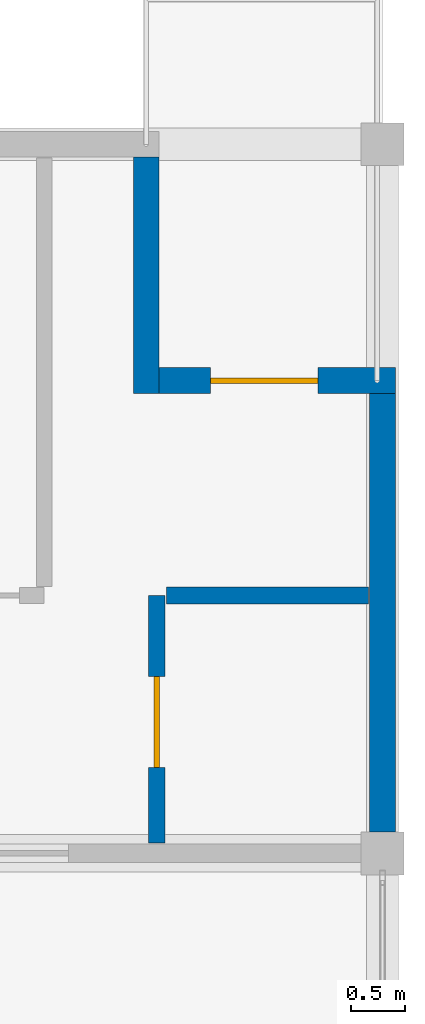
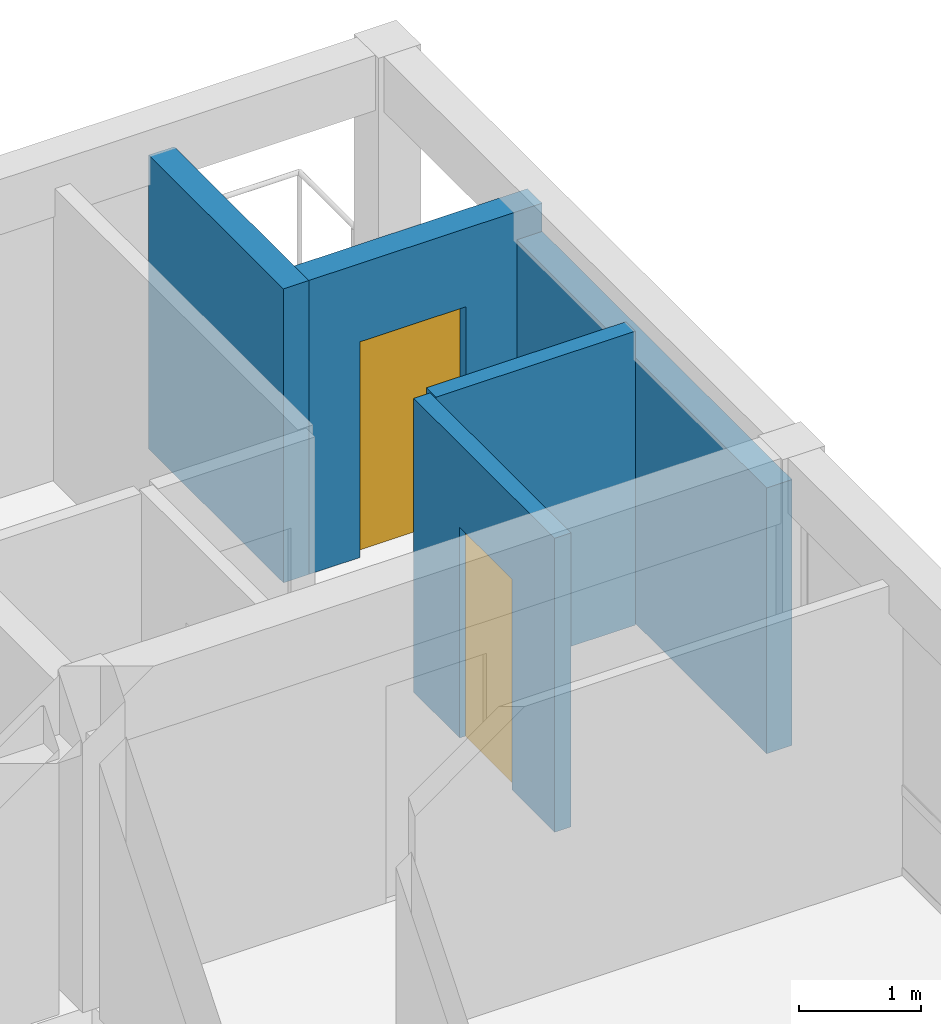
# One storey, part 19 of 23: 5 walls, 2 doors, 2 openings.
"""IFC4 building model written with IfcOpenShell, lengths in metres."""

from ifc_helpers import new_model, si_unit, direction, frame, frame_2d, origin, place, context, subcontext, project, spatial, rectangle, extrude, material, layer, layer_set, type_object, element, fill, save


model = new_model("IFC4")

# Units and contexts
model_context = context("Model", 3, precision=1e-05, world=origin(), true_north=direction((0.0, 1.0)))
body_context = subcontext(model_context, "Body", "Model", "MODEL_VIEW")
ifc_project = project(units=[si_unit("LENGTHUNIT", "METRE"), si_unit("AREAUNIT", "SQUARE_METRE"), si_unit("VOLUMEUNIT", "CUBIC_METRE"), si_unit("PLANEANGLEUNIT", "RADIAN"), si_unit("MASSUNIT", "GRAM", prefix="KILO")], contexts=[model_context])

# Site, building, storey
site_placement = place(None, origin())
site = spatial("IfcSite", under=ifc_project, at=site_placement, CompositionType="ELEMENT")
building_placement = place(site_placement, origin())
building = spatial("IfcBuilding", under=site, at=building_placement, Name="Kernevlak Ridge Housing Community", CompositionType="ELEMENT")
storey_placement = place(building_placement, frame((0.0, 0.0, 46.800048828125)))
storey = spatial("IfcBuildingStorey", under=building, at=storey_placement, Name="L14", CompositionType="ELEMENT", Elevation=46.800048828125)

# Wall
ifc_material_1 = material(Name="Concrete block masonry M10", Category="masonry")
ifc_layer_1 = layer(ifc_material_1, 0.239990234375, Name="Concrete block masonry M10")
ifc_layer_set_1 = layer_set([ifc_layer_1], Name="Concrete block masonry M10")
wall_type_1 = type_object("IfcWallType", Name="EW-06", PredefinedType="STANDARD", material=ifc_layer_set_1)
wall_1_placement = place(storey_placement, frame((143.60009765625, 102.280029296875, 0.0), z_axis=(0.0, 0.0, 1.0), x_axis=(0.0, -1.0, 0.0)))
element("IfcWall", 1, at=wall_1_placement, inside=storey, type_object=wall_type_1, Name="Exterior wall EW-06 L14 522", PredefinedType="STANDARD", context=body_context, shape_type="SweptSolid", body=[
    extrude(rectangle(XDim=2.199951171875, YDim=0.239990234375, at=frame_2d((1.10009765625, 0.0))), origin(), (0.0, 0.0, 1.0), 2.929931640625),
])

# Wall, opening, door
wall_2_placement = place(storey_placement, frame((143.719970703125, 100.199951171875, 0.0), z_axis=(0.0, 0.0, 1.0), x_axis=(1.0, 0.0, 0.0)))
wall_2 = element("IfcWall", 2, at=wall_2_placement, inside=storey, type_object=wall_type_1, Name="Exterior wall EW-06 L14 523", PredefinedType="STANDARD", context=body_context, shape_type="SweptSolid", body=[
    extrude(rectangle(XDim=2.199951171875, YDim=0.239990234375, at=frame_2d((1.10009765625, 0.0))), origin(), (0.0, 0.0, 1.0), 2.929931640625),
])
opening_1_placement = place(wall_2_placement, frame((0.47998046875, 0.0, 0.0)))
opening_1 = element("IfcOpeningElement", 3, at=opening_1_placement, cuts=wall_2, Name="Opening E058", PredefinedType="OPENING", context=body_context, shape_type="SweptSolid", body=[
    extrude(rectangle(XDim=1.0, YDim=2.14990234375, at=frame_2d((0.5, 1.074951171875))), frame((0.0, 0.1298828125, 0.0), z_axis=(0.0, -1.0, 0.0), x_axis=(1.0, 0.0, 0.0)), (0.0, 0.0, 1.0), 0.260009765625),
])
ifc_material_2 = material(Name="Aluminium EN AW-6060 and laminated safety glass", Category="aluminium")
door_type_1 = type_object("IfcDoorType", Name="DT-08", OperationType="NOTDEFINED", PredefinedType="DOOR", material=ifc_material_2)
door_1_placement = place(opening_1_placement, origin())
door_1 = element("IfcDoor", 4, at=door_1_placement, inside=storey, type_object=door_type_1, Name="Flat B1423 corner balcony glazed door E058", OperationType="SINGLE_SWING_LEFT", OverallHeight=2.14990234375, OverallWidth=1.0, PredefinedType="DOOR", context=body_context, shape_type="SweptSolid", body=[
    extrude(rectangle(XDim=1.0, YDim=2.14990234375, at=frame_2d((0.5, 1.074951171875))), frame((0.0, 0.02490234375, 0.0), z_axis=(0.0, -1.0, 0.0), x_axis=(1.0, 0.0, 0.0)), (0.0, 0.0, 1.0), 0.050048828125),
])
fill(opening_1, door_1)

# Wall
wall_3_placement = place(storey_placement, frame((145.800048828125, 96.0, 0.0), z_axis=(0.0, 0.0, 1.0), x_axis=(0.0, 1.0, 0.0)))
element("IfcWall", 5, at=wall_3_placement, inside=storey, type_object=wall_type_1, Name="Exterior wall EW-06 L14 527", PredefinedType="STANDARD", context=body_context, shape_type="SweptSolid", body=[
    extrude(rectangle(XDim=4.080078125, YDim=0.239990234375, at=frame_2d((2.0400390625, 0.0))), origin(), (0.0, 0.0, 1.0), 2.64990234375),
])

# Wall, opening, door
ifc_material_3 = material(Name="Gypsum plasterboard EN 520", Category="gypsum")
ifc_layer_2 = layer(ifc_material_3, 0.155029296875, Name="Gypsum plasterboard EN 520")
ifc_layer_set_2 = layer_set([ifc_layer_2], Name="Gypsum plasterboard EN 520")
wall_type_2 = type_object("IfcWallType", Name="PW-05", PredefinedType="PARTITIONING", material=ifc_layer_set_2)
wall_4_placement = place(storey_placement, frame((143.699951171875, 95.8974609375, 0.0), z_axis=(0.0, 0.0, 1.0), x_axis=(0.0, 1.0, 0.0)))
wall_4 = element("IfcWall", 6, at=wall_4_placement, inside=storey, type_object=wall_type_2, Name="Interior wall PW-05 WAL-INT-L14-2080", PredefinedType="PARTITIONING", context=body_context, shape_type="SweptSolid", body=[
    extrude(rectangle(XDim=2.302490234375, YDim=0.155029296875, at=frame_2d((1.1513671875, 0.0))), origin(), (0.0, 0.0, 1.0), 2.929931640625),
])
opening_2_placement = place(wall_4_placement, frame((0.699951171875, 0.0, 0.0)))
opening_2 = element("IfcOpeningElement", 7, at=opening_2_placement, cuts=wall_4, Name="Opening E056", PredefinedType="OPENING", context=body_context, shape_type="SweptSolid", body=[
    extrude(rectangle(XDim=0.85009765625, YDim=2.10009765625, at=frame_2d((0.425048828125, 1.050048828125))), frame((0.0, 0.08740234375, 0.0), z_axis=(0.0, -1.0, 0.0), x_axis=(1.0, 0.0, 0.0)), (0.0, 0.0, 1.0), 0.175048828125),
])
ifc_material_4 = material(Name="Hardwood timber leaf", Category="wood")
door_type_2 = type_object("IfcDoorType", Name="DT-03", OperationType="NOTDEFINED", PredefinedType="DOOR", material=ifc_material_4)
door_2_placement = place(opening_2_placement, origin())
door_2 = element("IfcDoor", 8, at=door_2_placement, inside=storey, type_object=door_type_2, Name="Flat B1423 kitchen door E056", OperationType="SINGLE_SWING_LEFT", OverallHeight=2.10009765625, OverallWidth=0.85009765625, PredefinedType="DOOR", context=body_context, shape_type="SweptSolid", body=[
    extrude(rectangle(XDim=0.85009765625, YDim=2.10009765625, at=frame_2d((0.425048828125, 1.050048828125))), frame((0.0, 0.02490234375, 0.0), z_axis=(0.0, -1.0, 0.0), x_axis=(1.0, 0.0, 0.0)), (0.0, 0.0, 1.0), 0.050048828125),
])
fill(opening_2, door_2)

# Wall
wall_5_placement = place(storey_placement, frame((143.78759765625, 98.199951171875, 0.0), z_axis=(0.0, 0.0, 1.0), x_axis=(1.0, 0.0, 0.0)))
element("IfcWall", 9, at=wall_5_placement, inside=storey, type_object=wall_type_2, Name="Interior wall PW-05 WAL-INT-L14-2081", PredefinedType="PARTITIONING", context=body_context, shape_type="SweptSolid", body=[
    extrude(rectangle(XDim=1.88232421875, YDim=0.155029296875, at=frame_2d((0.941162109375, 0.0))), origin(), (0.0, 0.0, 1.0), 2.929931640625),
])

save(model, "model.ifc")
